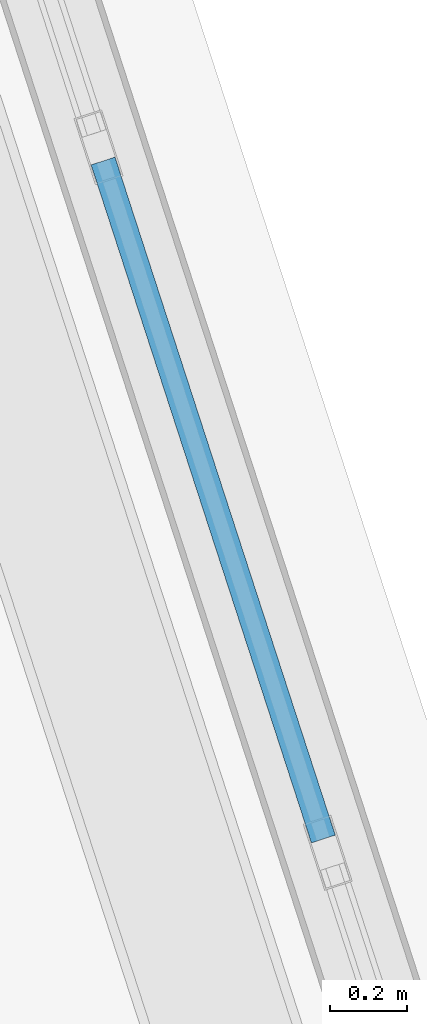
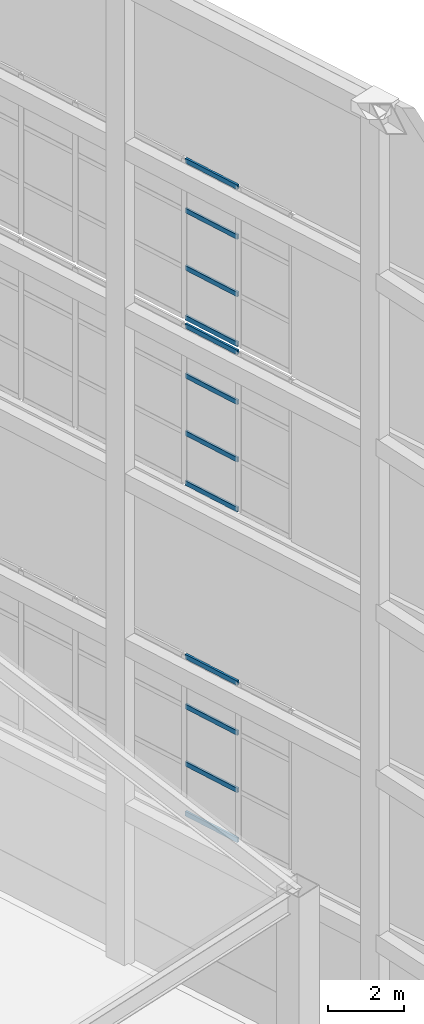
# One storey, part 30 of 56: 12 members, 3 elements without a shape of their own.
"""IFC4 building model written with IfcOpenShell, lengths in metres."""

from ifc_helpers import new_model, si_unit, direction, frame, origin, origin_2d, place, context, subcontext, project, spatial, hollow_rectangle, extrude, material, layer, layer_set, material_profile, profile_set, type_object, element, aggregate, save


model = new_model("IFC4")

# Units and contexts
model_context = context("Model", 3, precision=1e-05, world=origin(), true_north=direction((0.0, 1.0)))
body_context = subcontext(model_context, "Body", "Model", "MODEL_VIEW")
ifc_project = project(units=[si_unit("LENGTHUNIT", "METRE"), si_unit("AREAUNIT", "SQUARE_METRE"), si_unit("VOLUMEUNIT", "CUBIC_METRE"), si_unit("PLANEANGLEUNIT", "RADIAN"), si_unit("MASSUNIT", "GRAM", prefix="KILO")], contexts=[model_context])

# Site, building, storey
site_placement = place(None, origin())
site = spatial("IfcSite", under=ifc_project, at=site_placement, CompositionType="ELEMENT")
building_placement = place(site_placement, origin())
building = spatial("IfcBuilding", under=site, at=building_placement, Name="Qiaolan Cultural Towers", CompositionType="ELEMENT")
storey_placement = place(building_placement, frame((0.0, 0.0, 250.39990234375)))
storey = spatial("IfcBuildingStorey", under=building, at=storey_placement, Name="L68", CompositionType="ELEMENT", Elevation=250.39990234375)

# Curtain wall, members
ifc_material_1 = material(Name="Unitized Anodized Aluminium Curtain Wall System", Category="aluminium")
ifc_layer = layer(ifc_material_1, 0.199951171875)
ifc_layer_set = layer_set([ifc_layer], Name="Unitized Anodized Aluminium Curtain Wall System")
curtain_wall_type = type_object("IfcCurtainWallType", Name="CWS-06", PredefinedType="NOTDEFINED", material=ifc_layer_set)
curtain_wall_1_placement = place(storey_placement, origin())
curtain_wall_1 = element("IfcCurtainWall", 1, at=curtain_wall_1_placement, inside=storey, type_object=curtain_wall_type, Name="T2 Crown Tier 2 Fritted Screen Curtain Wall 3", PredefinedType="NOTDEFINED")
ifc_material_2 = material(Name="Extruded Aluminium 6063-T6", Category="aluminium")
ifc_material_profile = material_profile(ifc_material_2, hollow_rectangle(XDim=0.06494140625, YDim=0.14990234375, WallThickness=0.00390625, at=origin_2d()), Name="CWT-150x65x4")
ifc_profile_set = profile_set([ifc_material_profile], Name="Extruded Aluminium 6063-T6")
member_type = type_object("IfcMemberType", Name="CWS-06-TRN", PredefinedType="USERDEFINED", material=ifc_profile_set)
member_1_placement = place(storey_placement, frame((104.34716796875, 34.66357421875, 5.4326171875), z_axis=(-0.30899331187, 0.951064210882, 0.0), x_axis=(-0.951064210882, -0.30899331187, 0.0)))
member_1 = element("IfcMember", 2, at=member_1_placement, type_object=member_type, Name="CW-6 transom 2.1", ObjectType="TRANSOM", PredefinedType="USERDEFINED", context=body_context, shape_type="SweptSolid", body=[
    extrude(hollow_rectangle(XDim=0.06494140625, YDim=0.14990234375, WallThickness=0.00390625, at=origin_2d()), origin(), (0.0, 0.0, 1.0), 1.844970703125),
])
member_2_placement = place(storey_placement, frame((104.34716796875, 34.66357421875, 7.030029296875), z_axis=(-0.30899331187, 0.951064210882, 0.0), x_axis=(-0.951064210882, -0.30899331187, 0.0)))
member_2 = element("IfcMember", 3, at=member_2_placement, type_object=member_type, Name="CW-6 transom 2.2", ObjectType="TRANSOM", PredefinedType="USERDEFINED", context=body_context, shape_type="SweptSolid", body=[
    extrude(hollow_rectangle(XDim=0.06494140625, YDim=0.14990234375, WallThickness=0.00390625, at=origin_2d()), origin(), (0.0, 0.0, 1.0), 1.844970703125),
])
member_3_placement = place(storey_placement, frame((104.34716796875, 34.66357421875, 8.8701171875), z_axis=(-0.30899331187, 0.951064210882, 0.0), x_axis=(-0.951064210882, -0.30899331187, 0.0)))
member_3 = element("IfcMember", 4, at=member_3_placement, type_object=member_type, Name="CW-6 transom 2.3", ObjectType="TRANSOM", PredefinedType="USERDEFINED", context=body_context, shape_type="SweptSolid", body=[
    extrude(hollow_rectangle(XDim=0.06494140625, YDim=0.14990234375, WallThickness=0.00390625, at=origin_2d()), origin(), (0.0, 0.0, 1.0), 1.844970703125),
])
member_4_placement = place(storey_placement, frame((104.34716796875, 34.66357421875, 10.467529296875), z_axis=(-0.30899331187, 0.951064210882, 0.0), x_axis=(-0.951064210882, -0.30899331187, 0.0)))
member_4 = element("IfcMember", 5, at=member_4_placement, type_object=member_type, Name="CW-6 transom 2.4", ObjectType="TRANSOM", PredefinedType="USERDEFINED", context=body_context, shape_type="SweptSolid", body=[
    extrude(hollow_rectangle(XDim=0.06494140625, YDim=0.14990234375, WallThickness=0.00390625, at=origin_2d()), origin(), (0.0, 0.0, 1.0), 1.844970703125),
])
aggregate(curtain_wall_1, [member_1, member_2, member_3, member_4])

curtain_wall_2_placement = place(storey_placement, origin())
curtain_wall_2 = element("IfcCurtainWall", 6, at=curtain_wall_2_placement, inside=storey, type_object=curtain_wall_type, Name="T2 Crown Tier 4 Fritted Screen Curtain Wall 3", PredefinedType="NOTDEFINED")
member_5_placement = place(storey_placement, frame((104.34716796875, 34.66357421875, 16.03271484375), z_axis=(-0.30899331187, 0.951064210882, 0.0), x_axis=(-0.951064210882, -0.30899331187, 0.0)))
member_5 = element("IfcMember", 7, at=member_5_placement, type_object=member_type, Name="CW-6 transom 2.1", ObjectType="TRANSOM", PredefinedType="USERDEFINED", context=body_context, shape_type="SweptSolid", body=[
    extrude(hollow_rectangle(XDim=0.06494140625, YDim=0.14990234375, WallThickness=0.00390625, at=origin_2d()), origin(), (0.0, 0.0, 1.0), 1.844970703125),
])
member_6_placement = place(storey_placement, frame((104.34716796875, 34.66357421875, 17.630126953125), z_axis=(-0.30899331187, 0.951064210882, 0.0), x_axis=(-0.951064210882, -0.30899331187, 0.0)))
member_6 = element("IfcMember", 8, at=member_6_placement, type_object=member_type, Name="CW-6 transom 2.2", ObjectType="TRANSOM", PredefinedType="USERDEFINED", context=body_context, shape_type="SweptSolid", body=[
    extrude(hollow_rectangle(XDim=0.06494140625, YDim=0.14990234375, WallThickness=0.00390625, at=origin_2d()), origin(), (0.0, 0.0, 1.0), 1.844970703125),
])
member_7_placement = place(storey_placement, frame((104.34716796875, 34.66357421875, 19.47021484375), z_axis=(-0.30899331187, 0.951064210882, 0.0), x_axis=(-0.951064210882, -0.30899331187, 0.0)))
member_7 = element("IfcMember", 9, at=member_7_placement, type_object=member_type, Name="CW-6 transom 2.3", ObjectType="TRANSOM", PredefinedType="USERDEFINED", context=body_context, shape_type="SweptSolid", body=[
    extrude(hollow_rectangle(XDim=0.06494140625, YDim=0.14990234375, WallThickness=0.00390625, at=origin_2d()), origin(), (0.0, 0.0, 1.0), 1.844970703125),
])
member_8_placement = place(storey_placement, frame((104.34716796875, 34.66357421875, 21.067626953125), z_axis=(-0.30899331187, 0.951064210882, 0.0), x_axis=(-0.951064210882, -0.30899331187, 0.0)))
member_8 = element("IfcMember", 10, at=member_8_placement, type_object=member_type, Name="CW-6 transom 2.4", ObjectType="TRANSOM", PredefinedType="USERDEFINED", context=body_context, shape_type="SweptSolid", body=[
    extrude(hollow_rectangle(XDim=0.06494140625, YDim=0.14990234375, WallThickness=0.00390625, at=origin_2d()), origin(), (0.0, 0.0, 1.0), 1.844970703125),
])
aggregate(curtain_wall_2, [member_5, member_6, member_7, member_8])

curtain_wall_3_placement = place(storey_placement, origin())
curtain_wall_3 = element("IfcCurtainWall", 11, at=curtain_wall_3_placement, inside=storey, type_object=curtain_wall_type, Name="T2 Crown Tier 5 Fritted Screen Curtain Wall 3", PredefinedType="NOTDEFINED")
member_9_placement = place(storey_placement, frame((104.34716796875, 34.66357421875, 21.33251953125), z_axis=(-0.30899331187, 0.951064210882, 0.0), x_axis=(-0.951064210882, -0.30899331187, 0.0)))
member_9 = element("IfcMember", 12, at=member_9_placement, type_object=member_type, Name="CW-6 transom 2.1", ObjectType="TRANSOM", PredefinedType="USERDEFINED", context=body_context, shape_type="SweptSolid", body=[
    extrude(hollow_rectangle(XDim=0.06494140625, YDim=0.14990234375, WallThickness=0.00390625, at=origin_2d()), origin(), (0.0, 0.0, 1.0), 1.844970703125),
])
member_10_placement = place(storey_placement, frame((104.34716796875, 34.66357421875, 22.93017578125), z_axis=(-0.30899331187, 0.951064210882, 0.0), x_axis=(-0.951064210882, -0.30899331187, 0.0)))
member_10 = element("IfcMember", 13, at=member_10_placement, type_object=member_type, Name="CW-6 transom 2.2", ObjectType="TRANSOM", PredefinedType="USERDEFINED", context=body_context, shape_type="SweptSolid", body=[
    extrude(hollow_rectangle(XDim=0.06494140625, YDim=0.14990234375, WallThickness=0.00390625, at=origin_2d()), origin(), (0.0, 0.0, 1.0), 1.844970703125),
])
member_11_placement = place(storey_placement, frame((104.34716796875, 34.66357421875, 24.77001953125), z_axis=(-0.30899331187, 0.951064210882, 0.0), x_axis=(-0.951064210882, -0.30899331187, 0.0)))
member_11 = element("IfcMember", 14, at=member_11_placement, type_object=member_type, Name="CW-6 transom 2.3", ObjectType="TRANSOM", PredefinedType="USERDEFINED", context=body_context, shape_type="SweptSolid", body=[
    extrude(hollow_rectangle(XDim=0.06494140625, YDim=0.14990234375, WallThickness=0.00390625, at=origin_2d()), origin(), (0.0, 0.0, 1.0), 1.844970703125),
])
member_12_placement = place(storey_placement, frame((104.34716796875, 34.66357421875, 26.36767578125), z_axis=(-0.30899331187, 0.951064210882, 0.0), x_axis=(-0.951064210882, -0.30899331187, 0.0)))
member_12 = element("IfcMember", 15, at=member_12_placement, type_object=member_type, Name="CW-6 transom 2.4", ObjectType="TRANSOM", PredefinedType="USERDEFINED", context=body_context, shape_type="SweptSolid", body=[
    extrude(hollow_rectangle(XDim=0.06494140625, YDim=0.14990234375, WallThickness=0.00390625, at=origin_2d()), origin(), (0.0, 0.0, 1.0), 1.844970703125),
])
aggregate(curtain_wall_3, [member_9, member_10, member_11, member_12])

save(model, "model.ifc")
